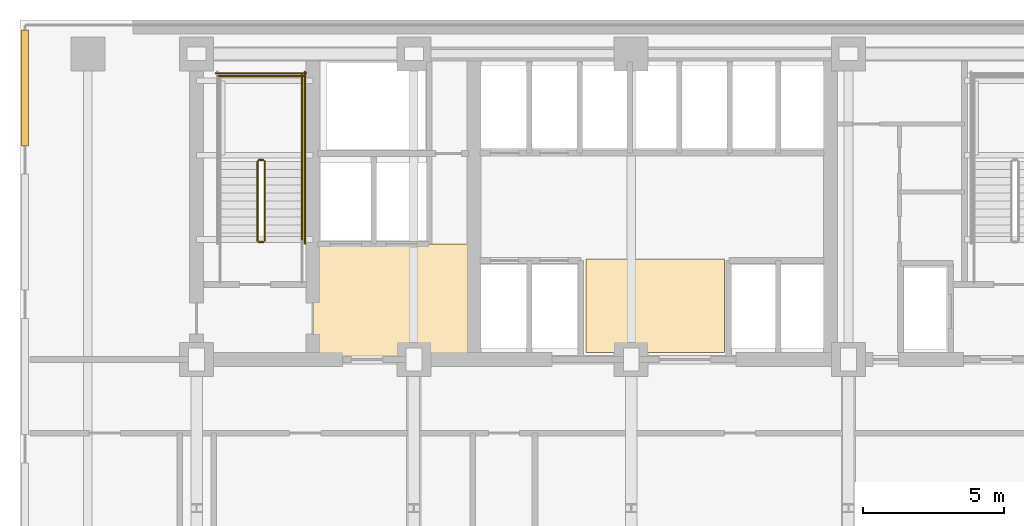
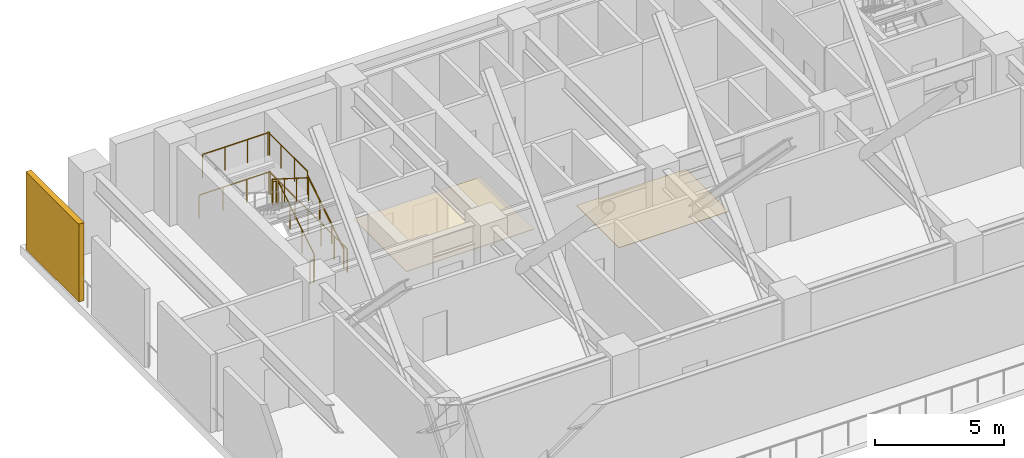
# One storey, part 6 of 8: 9 railings, 2 coverings, 1 shading device.
"""IFC4 building model written with IfcOpenShell, lengths in metres."""

from ifc_helpers import new_model, si_unit, direction, frame, origin, origin_2d, place, context, subcontext, project, spatial, polyline, rectangle, circle, outline, extrude, material, layer, layer_set, type_object, element, save


model = new_model("IFC4")

# Units and contexts
model_context = context("Model", 3, precision=1e-05, world=origin(), true_north=direction((0.0, 1.0)))
body_context = subcontext(model_context, "Body", "Model", "MODEL_VIEW")
ifc_project = project(units=[si_unit("LENGTHUNIT", "METRE"), si_unit("AREAUNIT", "SQUARE_METRE"), si_unit("VOLUMEUNIT", "CUBIC_METRE"), si_unit("PLANEANGLEUNIT", "RADIAN"), si_unit("MASSUNIT", "GRAM", prefix="KILO")], contexts=[model_context])

# Site, building, storey
site_placement = place(None, origin())
site = spatial("IfcSite", under=ifc_project, at=site_placement, CompositionType="ELEMENT")
building_placement = place(site_placement, origin())
building = spatial("IfcBuilding", under=site, at=building_placement, Name="Yelkora Congress Tower", CompositionType="ELEMENT")
storey_placement = place(building_placement, frame((0.0, 0.0, 78.0)))
storey = spatial("IfcBuildingStorey", under=building, at=storey_placement, Name="L20", CompositionType="ELEMENT", Elevation=78.0)

# Coverings
ifc_material_1 = material(Name="Perforated mineral-fibre acoustic ceiling", Category="gypsum")
ifc_layer_1 = layer(ifc_material_1, 0.0400390625)
ifc_layer_set_1 = layer_set([ifc_layer_1], Name="Perforated mineral-fibre acoustic ceiling")
covering_type_1 = type_object("IfcCoveringType", Name="COV-CEIL-ACOUSTIC-40", PredefinedType="CEILING", material=ifc_layer_set_1)
covering_1_placement = place(storey_placement, frame((0.0, 0.0, 2.39990234375)))
element("IfcCovering", 1, at=covering_1_placement, inside=storey, type_object=covering_type_1, Name="L20 Firefighting Lobby Acoustic Ceiling", PredefinedType="CEILING", context=body_context, shape_type="SweptSolid", body=[
    extrude(outline(polyline([(27.14990234375, 35.39990234375), (32.85009765625, 35.39990234375), (32.85009765625, 39.47998046875), (27.14990234375, 39.47998046875), (27.14990234375, 35.39990234375)])), origin(), (0.0, 0.0, 1.0), 0.0400390625),
])
ifc_material_2 = material(Name="Polished Anatolian grey granite tile", Category="masonry")
ifc_layer_2 = layer(ifc_material_2, 0.02001953125)
ifc_layer_set_2 = layer_set([ifc_layer_2], Name="Polished Anatolian grey granite tile")
covering_type_2 = type_object("IfcCoveringType", Name="COV-FLOOR-GRANITE-20", PredefinedType="FLOORING", material=ifc_layer_set_2)
covering_2_placement = place(storey_placement, origin())
element("IfcCovering", 2, at=covering_2_placement, inside=storey, type_object=covering_type_2, Name="L20 Lift Lobby Granite Flooring", PredefinedType="FLOORING", context=body_context, shape_type="SweptSolid", body=[
    extrude(outline(polyline([(36.800048828125, 35.64990234375), (41.699951171875, 35.64990234375), (41.699951171875, 38.949951171875), (36.800048828125, 38.949951171875), (36.800048828125, 35.64990234375)])), origin(), (0.0, 0.0, 1.0), 0.02001953125),
])

# Railings
ifc_material_3 = material(Name="Painted galvanised steel stair well guard with vertical infill", Category="steel")
ifc_layer_3 = layer(ifc_material_3, 0.06005859375)
ifc_layer_set_3 = layer_set([ifc_layer_3], Name="Painted galvanised steel stair well guard with vertical infill")
railing_type_1 = type_object("IfcRailingType", Name="RAIL-STAIR-GUARD-1120", PredefinedType="GUARDRAIL", material=ifc_layer_set_3)
railing_1_placement = place(storey_placement, frame((25.449951171875, 39.60009765625, 0.17724609375)))
element("IfcRailing", 3, at=railing_1_placement, inside=storey, type_object=railing_type_1, Name="ST-01 L20 Stair Well Guardrail 1", PredefinedType="GUARDRAIL", context=body_context, shape_type="SweptSolid", body=[
    extrude(circle(Radius=0.02392578125, at=origin_2d()), frame((0.0, 0.0, 1.09619140625), z_axis=(0.0, 0.844887892834, 0.53494340686), x_axis=(-1.0, 0.0, 0.0)), (0.0, 0.0, 1.0), 3.313720703125),
    extrude(circle(Radius=0.02099609375, at=origin_2d()), origin(), (0.0, 0.0, 1.0), 1.072021484375),
    extrude(circle(Radius=0.02099609375, at=origin_2d()), frame((0.0, 0.933349609375, 0.5908203125)), (0.0, 0.0, 1.0), 1.072021484375),
    extrude(circle(Radius=0.02099609375, at=origin_2d()), frame((0.0, 1.866455078125, 1.181884765625)), (0.0, 0.0, 1.0), 1.072021484375),
    extrude(circle(Radius=0.02099609375, at=origin_2d()), frame((0.0, 2.7998046875, 1.772705078125)), (0.0, 0.0, 1.0), 1.072021484375),
])
railing_2_placement = place(storey_placement, frame((25.39990234375, 42.449951171875, 1.949951171875)))
element("IfcRailing", 4, at=railing_2_placement, inside=storey, type_object=railing_type_1, Name="ST-01 L20 Stair Well Guardrail 2", PredefinedType="GUARDRAIL", context=body_context, shape_type="SweptSolid", body=[
    extrude(circle(Radius=0.02392578125, at=origin_2d()), frame((0.0, 0.0, 1.09619140625), z_axis=(-1.0, 0.0, 0.0), x_axis=(0.0, -1.0, 0.0)), (0.0, 0.0, 1.0), 0.159912109375),
    extrude(circle(Radius=0.02099609375, at=origin_2d()), origin(), (0.0, 0.0, 1.0), 1.072021484375),
    extrude(circle(Radius=0.02099609375, at=origin_2d()), frame((-0.159912109375, 0.0, 0.0)), (0.0, 0.0, 1.0), 1.072021484375),
])
railing_3_placement = place(storey_placement, frame((26.77001953125, 42.39990234375, 1.949951171875)))
element("IfcRailing", 5, at=railing_3_placement, inside=storey, type_object=railing_type_1, Name="ST-01 L20 Stair Well Guardrail 3", PredefinedType="GUARDRAIL", context=body_context, shape_type="SweptSolid", body=[
    extrude(circle(Radius=0.02392578125, at=origin_2d()), frame((0.0, 0.0, 1.09619140625), z_axis=(0.0, 1.0, 0.0), x_axis=(-1.0, 0.0, 0.0)), (0.0, 0.0, 1.0), 3.070068359375),
    extrude(circle(Radius=0.02099609375, at=origin_2d()), origin(), (0.0, 0.0, 1.0), 1.072021484375),
    extrude(circle(Radius=0.02099609375, at=origin_2d()), frame((0.0, 1.0234375, 0.0)), (0.0, 0.0, 1.0), 1.072021484375),
    extrude(circle(Radius=0.02099609375, at=origin_2d()), frame((0.0, 2.046630859375, 0.0)), (0.0, 0.0, 1.0), 1.072021484375),
    extrude(circle(Radius=0.02099609375, at=origin_2d()), frame((0.0, 3.070068359375, 0.0)), (0.0, 0.0, 1.0), 1.072021484375),
])
railing_4_placement = place(storey_placement, frame((26.820068359375, 45.419921875, 1.949951171875)))
element("IfcRailing", 6, at=railing_4_placement, inside=storey, type_object=railing_type_1, Name="ST-01 L20 Stair Well Guardrail 5", PredefinedType="GUARDRAIL", context=body_context, shape_type="SweptSolid", body=[
    extrude(circle(Radius=0.02392578125, at=origin_2d()), frame((0.0, 0.0, 1.09619140625), z_axis=(-1.0, 0.0, 0.0), x_axis=(0.0, -1.0, 0.0)), (0.0, 0.0, 1.0), 3.0),
    extrude(circle(Radius=0.02099609375, at=origin_2d()), origin(), (0.0, 0.0, 1.0), 1.072021484375),
    extrude(circle(Radius=0.02099609375, at=origin_2d()), frame((-1.0, 0.0, 0.0)), (0.0, 0.0, 1.0), 1.072021484375),
    extrude(circle(Radius=0.02099609375, at=origin_2d()), frame((-2.0, 0.0, 0.0)), (0.0, 0.0, 1.0), 1.072021484375),
    extrude(circle(Radius=0.02099609375, at=origin_2d()), frame((-3.0, 0.0, 0.0)), (0.0, 0.0, 1.0), 1.072021484375),
])
railing_5_placement = place(storey_placement, frame((25.18994140625, 42.39990234375, 2.127197265625)))
element("IfcRailing", 7, at=railing_5_placement, inside=storey, type_object=railing_type_1, Name="ST-01 L20 Stair Well Guardrail 6", PredefinedType="GUARDRAIL", context=body_context, shape_type="SweptSolid", body=[
    extrude(circle(Radius=0.02392578125, at=origin_2d()), frame((0.0, 0.0, 1.09619140625), z_axis=(0.0, -0.844887892834, 0.53494340686), x_axis=(1.0, 0.0, 0.0)), (0.0, 0.0, 1.0), 3.313720703125),
    extrude(circle(Radius=0.02099609375, at=origin_2d()), origin(), (0.0, 0.0, 1.0), 1.072021484375),
    extrude(circle(Radius=0.02099609375, at=origin_2d()), frame((0.0, -0.933349609375, 0.5908203125)), (0.0, 0.0, 1.0), 1.072021484375),
    extrude(circle(Radius=0.02099609375, at=origin_2d()), frame((0.0, -1.866455078125, 1.181884765625)), (0.0, 0.0, 1.0), 1.072021484375),
    extrude(circle(Radius=0.02099609375, at=origin_2d()), frame((0.0, -2.7998046875, 1.772705078125)), (0.0, 0.0, 1.0), 1.072021484375),
])
railing_6_placement = place(storey_placement, frame((25.39990234375, 39.550048828125, 0.0)))
element("IfcRailing", 8, at=railing_6_placement, inside=storey, type_object=railing_type_1, Name="ST-01 L20 Stair Well Guardrail 7", PredefinedType="GUARDRAIL", context=body_context, shape_type="SweptSolid", body=[
    extrude(circle(Radius=0.02392578125, at=origin_2d()), frame((0.0, 0.0, 1.09619140625), z_axis=(-1.0, 0.0, 0.0), x_axis=(0.0, -1.0, 0.0)), (0.0, 0.0, 1.0), 0.159912109375),
    extrude(circle(Radius=0.02099609375, at=origin_2d()), origin(), (0.0, 0.0, 1.0), 1.072021484375),
    extrude(circle(Radius=0.02099609375, at=origin_2d()), frame((-0.159912109375, 0.0, 0.0)), (0.0, 0.0, 1.0), 1.072021484375),
])
railing_7_placement = place(storey_placement, frame((26.8701171875, 39.5, 0.0)))
element("IfcRailing", 9, at=railing_7_placement, inside=storey, type_object=railing_type_1, Name="ST-01 L20 Stair Well Guardrail 10", PredefinedType="GUARDRAIL", context=body_context, shape_type="SweptSolid", body=[
    extrude(circle(Radius=0.02392578125, at=origin_2d()), frame((0.0, 0.0, 1.09619140625), z_axis=(0.0, 1.0, 0.0), x_axis=(-1.0, 0.0, 0.0)), (0.0, 0.0, 1.0), 6.070068359375),
    extrude(circle(Radius=0.02099609375, at=origin_2d()), origin(), (0.0, 0.0, 1.0), 1.072021484375),
    extrude(circle(Radius=0.02099609375, at=origin_2d()), frame((0.0, 1.01171875, 0.0)), (0.0, 0.0, 1.0), 1.072021484375),
    extrude(circle(Radius=0.02099609375, at=origin_2d()), frame((0.0, 2.0234375, 0.0)), (0.0, 0.0, 1.0), 1.072021484375),
    extrude(circle(Radius=0.02099609375, at=origin_2d()), frame((0.0, 3.03515625, 0.0)), (0.0, 0.0, 1.0), 1.072021484375),
    extrude(circle(Radius=0.02099609375, at=origin_2d()), frame((0.0, 4.046630859375, 0.0)), (0.0, 0.0, 1.0), 1.072021484375),
    extrude(circle(Radius=0.02099609375, at=origin_2d()), frame((0.0, 5.058349609375, 0.0)), (0.0, 0.0, 1.0), 1.072021484375),
    extrude(circle(Radius=0.02099609375, at=origin_2d()), frame((0.0, 6.070068359375, 0.0)), (0.0, 0.0, 1.0), 1.072021484375),
])
railing_8_placement = place(storey_placement, frame((26.919921875, 45.52001953125, 0.0)))
element("IfcRailing", 10, at=railing_8_placement, inside=storey, type_object=railing_type_1, Name="ST-01 L20 Stair Well Guardrail 12", PredefinedType="GUARDRAIL", context=body_context, shape_type="SweptSolid", body=[
    extrude(circle(Radius=0.02392578125, at=origin_2d()), frame((0.0, 0.0, 1.09619140625), z_axis=(-1.0, 0.0, 0.0), x_axis=(0.0, -1.0, 0.0)), (0.0, 0.0, 1.0), 3.199951171875),
    extrude(circle(Radius=0.02099609375, at=origin_2d()), origin(), (0.0, 0.0, 1.0), 1.072021484375),
    extrude(circle(Radius=0.02099609375, at=origin_2d()), frame((-1.066650390625, 0.0, 0.0)), (0.0, 0.0, 1.0), 1.072021484375),
    extrude(circle(Radius=0.02099609375, at=origin_2d()), frame((-2.13330078125, 0.0, 0.0)), (0.0, 0.0, 1.0), 1.072021484375),
    extrude(circle(Radius=0.02099609375, at=origin_2d()), frame((-3.199951171875, 0.0, 0.0)), (0.0, 0.0, 1.0), 1.072021484375),
])
ifc_material_4 = material(Name="Brushed stainless steel tubular handrail", Category="steel")
ifc_layer_4 = layer(ifc_material_4, 0.050048828125)
ifc_layer_set_4 = layer_set([ifc_layer_4], Name="Brushed stainless steel tubular handrail")
railing_type_2 = type_object("IfcRailingType", Name="RAIL-STAIR-HAND-920", PredefinedType="HANDRAIL", material=ifc_layer_set_4)
railing_9_placement = place(storey_placement, frame((26.77001953125, 39.60009765625, 0.17724609375)))
element("IfcRailing", 11, at=railing_9_placement, inside=storey, type_object=railing_type_2, Name="ST-01 L20 Pitch Handrail 1", PredefinedType="HANDRAIL", context=body_context, shape_type="SweptSolid", body=[
    extrude(circle(Radius=0.02392578125, at=origin_2d()), frame((0.0, 0.0, 0.89599609375), z_axis=(0.0, 0.844887892834, 0.53494340686), x_axis=(-1.0, 0.0, 0.0)), (0.0, 0.0, 1.0), 3.313720703125),
    extrude(circle(Radius=0.02099609375, at=origin_2d()), origin(), (0.0, 0.0, 1.0), 0.871826171875),
    extrude(circle(Radius=0.02099609375, at=origin_2d()), frame((0.0, 0.933349609375, 0.5908203125)), (0.0, 0.0, 1.0), 0.871826171875),
    extrude(circle(Radius=0.02099609375, at=origin_2d()), frame((0.0, 1.866455078125, 1.181884765625)), (0.0, 0.0, 1.0), 0.871826171875),
    extrude(circle(Radius=0.02099609375, at=origin_2d()), frame((0.0, 2.7998046875, 1.772705078125)), (0.0, 0.0, 1.0), 0.871826171875),
])

# Shading device
ifc_material_5 = material(Name="Perforated anodised aluminium louvre", Category="aluminium")
ifc_layer_5 = layer(ifc_material_5, 3.39990234375)
ifc_layer_set_5 = layer_set([ifc_layer_5], Name="Perforated anodised aluminium louvre")
shading_device_type = type_object("IfcShadingDeviceType", Name="SHD-LOUVRE-WIND", PredefinedType="JALOUSIE", material=ifc_layer_set_5)
shading_device_placement = place(storey_placement, frame((16.97998046875, 45.0, 0.0), z_axis=(0.0, 0.0, 1.0), x_axis=(1.0, 0.0, 0.0)))
element("IfcShadingDevice", 12, at=shading_device_placement, inside=storey, type_object=shading_device_type, Name="L20 Acoustic Wind-Floor Louvre Screen W5", PredefinedType="JALOUSIE", context=body_context, shape_type="SweptSolid", body=[
    extrude(rectangle(XDim=0.239990234375, YDim=4.10009765625, at=origin_2d()), origin(), (0.0, 0.0, 1.0), 3.679931640625),
])

save(model, "model.ifc")
